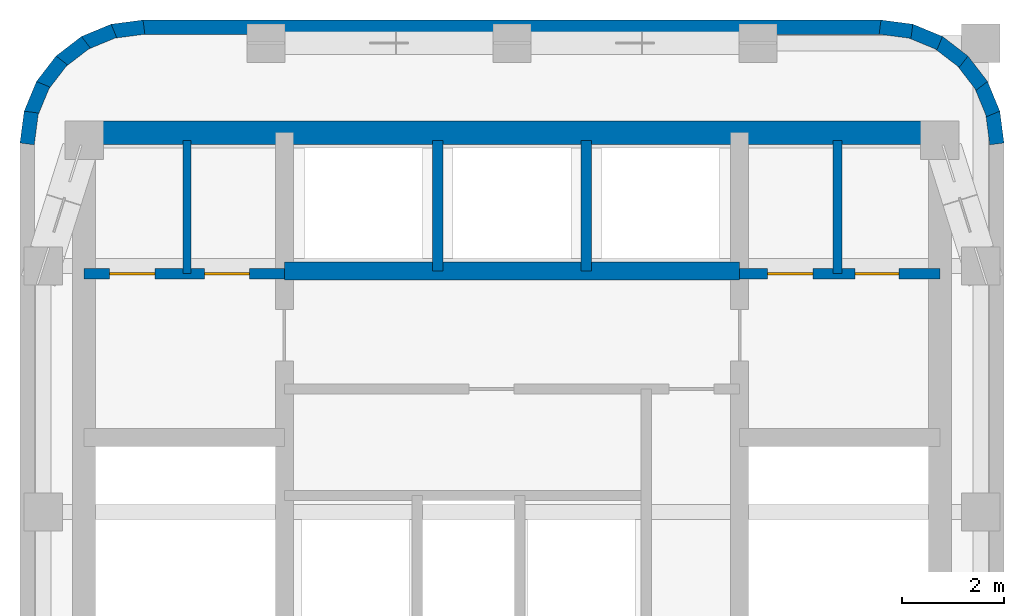
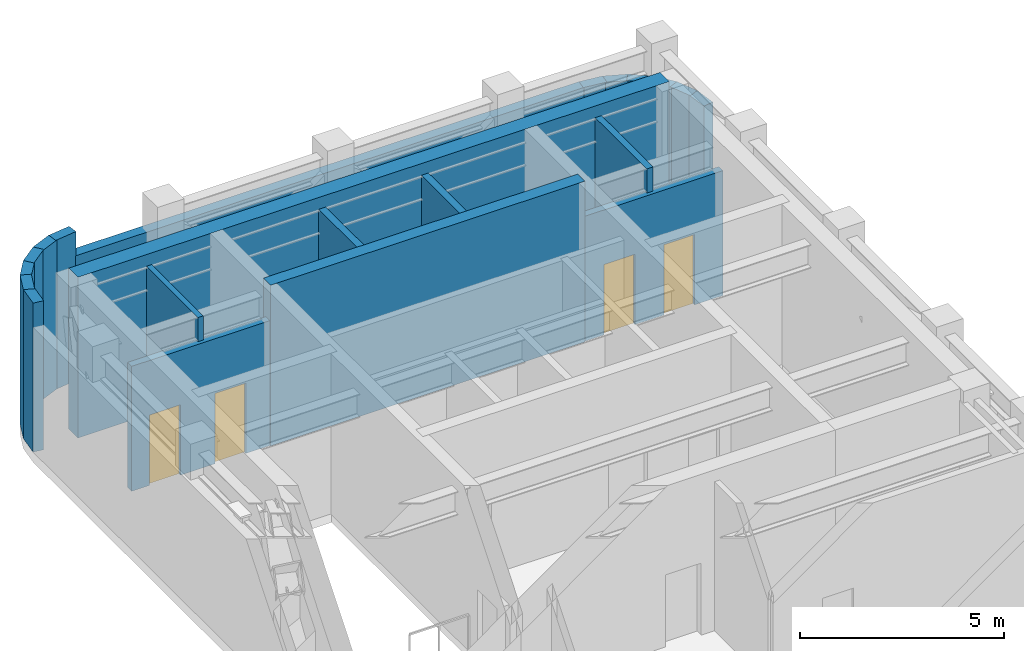
# One storey, part 4 of 5: 21 walls, 4 doors, 4 openings.
"""IFC4 building model written with IfcOpenShell, lengths in metres."""

from ifc_helpers import new_model, si_unit, direction, frame, frame_2d, origin, place, context, subcontext, project, spatial, rectangle, extrude, material, layer, layer_set, type_object, element, fill, save


model = new_model("IFC4")

# Units and contexts
model_context = context("Model", 3, precision=1e-05, world=origin(), true_north=direction((0.0, 1.0)))
body_context = subcontext(model_context, "Body", "Model", "MODEL_VIEW")
ifc_project = project(units=[si_unit("LENGTHUNIT", "METRE"), si_unit("AREAUNIT", "SQUARE_METRE"), si_unit("VOLUMEUNIT", "CUBIC_METRE"), si_unit("PLANEANGLEUNIT", "RADIAN"), si_unit("MASSUNIT", "GRAM", prefix="KILO")], contexts=[model_context])

# Site, building, storey
site_placement = place(None, origin())
site = spatial("IfcSite", under=ifc_project, at=site_placement, CompositionType="ELEMENT")
building_placement = place(site_placement, origin())
building = spatial("IfcBuilding", under=site, at=building_placement, Name="Orvandelia Arch Residences", CompositionType="ELEMENT")
storey_placement = place(building_placement, frame((0.0, 0.0, 296.199951171875)))
storey = spatial("IfcBuildingStorey", under=building, at=storey_placement, Name="L76", CompositionType="ELEMENT", Elevation=296.199951171875)

# Walls
ifc_material_1 = material(Name="Concrete C50/60", Category="concrete")
ifc_layer_1 = layer(ifc_material_1, 0.35009765625, Name="Concrete C50/60", Category="concrete")
ifc_layer_set_1 = layer_set([ifc_layer_1], Name="Concrete C50/60")
wall_type_1 = type_object("IfcWallType", Name="WL-CORE-350", PredefinedType="SHEAR", material=ifc_layer_set_1)
wall_1_placement = place(storey_placement, frame((9.9599609375, 43.10009765625, 0.0), z_axis=(0.0, 0.0, 1.0), x_axis=(1.0, 0.0, 0.0)))
element("IfcWall", 1, at=wall_1_placement, inside=storey, type_object=wall_type_1, Name="Core Shear Wall L76-HZ4", PredefinedType="SHEAR", context=body_context, shape_type="SweptSolid", body=[
    extrude(rectangle(XDim=8.880126953125, YDim=0.35009765625, at=frame_2d((4.43994140625, 0.0))), origin(), (0.0, 0.0, 1.0), 4.800048828125),
])
ifc_layer_2 = layer(ifc_material_1, 0.449951171875, Name="Concrete C50/60", Category="concrete")
ifc_layer_set_2 = layer_set([ifc_layer_2], Name="Concrete C50/60")
wall_type_2 = type_object("IfcWallType", Name="WL-CORE-450", PredefinedType="SHEAR", material=ifc_layer_set_2)
wall_2_placement = place(storey_placement, frame((6.050048828125, 45.800048828125, 0.0), z_axis=(0.0, 0.0, 1.0), x_axis=(1.0, 0.0, 0.0)))
element("IfcWall", 2, at=wall_2_placement, inside=storey, type_object=wall_type_2, Name="Core Shear Wall L76-N", PredefinedType="SHEAR", context=body_context, shape_type="SweptSolid", body=[
    extrude(rectangle(XDim=16.699951171875, YDim=0.449951171875, at=frame_2d((8.35009765625, 0.0))), origin(), (0.0, 0.0, 1.0), 4.800048828125),
])
ifc_material_2 = material(Name="Precast concrete C40/50", Category="concrete")
ifc_layer_3 = layer(ifc_material_2, 0.280029296875, Name="Precast concrete C40/50", Category="concrete")
ifc_layer_set_3 = layer_set([ifc_layer_3], Name="Precast concrete C40/50")
wall_type_3 = type_object("IfcWallType", Name="WL-EXT-STONE-280", PredefinedType="STANDARD", material=ifc_layer_set_3)
for number, where, z_axis, x_axis, name in (
    (3, (4.938720703125, 45.581787109375, 0.0), (0.0, 0.0, 1.0), (0.130555323746, 0.9914410257, 0.0), "Coral-Limestone Precast Facade Wall L76-001"),
    (4, (5.010986328125, 46.16748046875, 0.0), (0.0, 0.0, 1.0), (0.382650053678, 0.92389335771, 0.0), "Coral-Limestone Precast Facade Wall L76-002"),
    (5, (5.232666015625, 46.71484375, 0.0), (0.0, 0.0, 1.0), (0.608693302629, 0.793405610854, 0.0), "Coral-Limestone Precast Facade Wall L76-003"),
    (6, (5.588134765625, 47.18603515625, 0.0), (0.0, 0.0, 1.0), (0.793405610854, 0.608693302629, 0.0), "Coral-Limestone Precast Facade Wall L76-004"),
):
    element("IfcWall", number, at=place(storey_placement, frame(where, z_axis=z_axis, x_axis=x_axis)), inside=storey, type_object=wall_type_3, Name=name, PredefinedType="STANDARD", context=body_context, shape_type="SweptSolid", body=[
        extrude(rectangle(XDim=0.62646484375, YDim=0.280029296875, at=frame_2d((0.313232421875, 0.0))), origin(), (0.0, 0.0, 1.0), 4.449951171875),
    ])
wall_3_placement = place(storey_placement, frame((6.0537109375, 47.54931640625, 0.0), z_axis=(0.0, 0.0, 1.0), x_axis=(0.923974080304, 0.382455093999, 0.0)))
element("IfcWall", 7, at=wall_3_placement, inside=storey, type_object=wall_type_3, Name="Coral-Limestone Precast Facade Wall L76-005", PredefinedType="STANDARD", context=body_context, shape_type="SweptSolid", body=[
    extrude(rectangle(XDim=0.626220703125, YDim=0.280029296875, at=frame_2d((0.31298828125, 0.0))), origin(), (0.0, 0.0, 1.0), 4.449951171875),
])
wall_4_placement = place(storey_placement, frame((6.59716796875, 47.779296875, 0.0), z_axis=(0.0, 0.0, 1.0), x_axis=(0.9914410257, 0.130555323746, 0.0)))
element("IfcWall", 8, at=wall_4_placement, inside=storey, type_object=wall_type_3, Name="Coral-Limestone Precast Facade Wall L76-006", PredefinedType="STANDARD", context=body_context, shape_type="SweptSolid", body=[
    extrude(rectangle(XDim=0.62646484375, YDim=0.280029296875, at=frame_2d((0.313232421875, 0.0))), origin(), (0.0, 0.0, 1.0), 4.449951171875),
])
wall_5_placement = place(storey_placement, frame((7.199951171875, 47.860107421875, 0.0), z_axis=(0.0, 0.0, 1.0), x_axis=(1.0, 0.0, 0.0)))
element("IfcWall", 9, at=wall_5_placement, inside=storey, type_object=wall_type_3, Name="Coral-Limestone Precast Facade Wall L76-007", PredefinedType="STANDARD", context=body_context, shape_type="SweptSolid", body=[
    extrude(rectangle(XDim=14.400146484375, YDim=0.280029296875, at=frame_2d((7.2001953125, 0.0))), origin(), (0.0, 0.0, 1.0), 3.72998046875),
])
for number, where, z_axis, x_axis, name in (
    (10, (21.581787109375, 47.861083984375, 0.0), (0.0, 0.0, 1.0), (0.9914410257, -0.130555323746, 0.0), "Coral-Limestone Precast Facade Wall L76-008"),
    (11, (22.16748046875, 47.788818359375, 0.0), (0.0, 0.0, 1.0), (0.924031075431, -0.382317370307, 0.0), "Coral-Limestone Precast Facade Wall L76-009"),
    (12, (22.71484375, 47.5673828125, 0.0), (0.0, 0.0, 1.0), (0.793405610854, -0.608693302629, 0.0), "Coral-Limestone Precast Facade Wall L76-010"),
    (13, (23.18603515625, 47.2119140625, 0.0), (0.0, 0.0, 1.0), (0.608693302629, -0.793405610854, 0.0), "Coral-Limestone Precast Facade Wall L76-011"),
    (14, (23.54931640625, 46.746337890625, 0.0), (0.0, 0.0, 1.0), (0.382317370307, -0.924031075431, 0.0), "Coral-Limestone Precast Facade Wall L76-012"),
    (15, (23.779296875, 46.202880859375, 0.0), (0.0, 0.0, 1.0), (0.130555323746, -0.9914410257, 0.0), "Coral-Limestone Precast Facade Wall L76-013"),
):
    element("IfcWall", number, at=place(storey_placement, frame(where, z_axis=z_axis, x_axis=x_axis)), inside=storey, type_object=wall_type_3, Name=name, PredefinedType="STANDARD", context=body_context, shape_type="SweptSolid", body=[
        extrude(rectangle(XDim=0.62646484375, YDim=0.280029296875, at=frame_2d((0.313232421875, 0.0))), origin(), (0.0, 0.0, 1.0), 3.72998046875),
    ])
ifc_material_3 = material(Name="Acoustic Gypsum Stud Partition")
ifc_layer_4 = layer(ifc_material_3, 0.14990234375, Name="Acoustic Gypsum Stud Partition")
ifc_layer_set_4 = layer_set([ifc_layer_4], Name="Acoustic Gypsum Stud Partition")
wall_type_4 = type_object("IfcWallType", Name="WL-PART-150", PredefinedType="PARTITIONING", material=ifc_layer_set_4)
wall_6_placement = place(storey_placement, frame((8.06005859375, 43.050048828125, 0.0), z_axis=(0.0, 0.0, 1.0), x_axis=(0.0, 1.0, 0.0)))
element("IfcWall", 16, at=wall_6_placement, inside=storey, type_object=wall_type_4, Name="Interior Partition Wall WL-L76-CRELC-M", PredefinedType="PARTITIONING", context=body_context, shape_type="SweptSolid", body=[
    extrude(rectangle(XDim=2.599853515625, YDim=0.14990234375, at=frame_2d((1.2998046875, 0.0))), origin(), (0.0, 0.0, 1.0), 4.449951171875),
])

# Wall, openings, doors
ifc_material_4 = material(Name="Fire-Rated Shaft Enclosure Wall")
ifc_layer_5 = layer(ifc_material_4, 0.199951171875, Name="Fire-Rated Shaft Enclosure Wall")
ifc_layer_set_5 = layer_set([ifc_layer_5], Name="Fire-Rated Shaft Enclosure Wall")
wall_type_5 = type_object("IfcWallType", Name="WL-SHAFT-200", PredefinedType="POLYGONAL", material=ifc_layer_set_5)
wall_7_placement = place(storey_placement, frame((18.840087890625, 43.050048828125, 0.0), z_axis=(0.0, 0.0, 1.0), x_axis=(1.0, 0.0, 0.0)))
wall_7 = element("IfcWall", 17, at=wall_7_placement, inside=storey, type_object=wall_type_5, Name="Interior Partition Wall WL-L76-HLE-N", PredefinedType="POLYGONAL", context=body_context, shape_type="SweptSolid", body=[
    extrude(rectangle(XDim=3.909912109375, YDim=0.199951171875, at=frame_2d((1.955078125, 0.0))), origin(), (0.0, 0.0, 1.0), 3.72998046875),
])
opening_1_placement = place(wall_7_placement, frame((0.550048828125, 0.0, 0.0)))
opening_1 = element("IfcOpeningElement", 18, at=opening_1_placement, cuts=wall_7, Name="Opening D5", PredefinedType="OPENING", context=body_context, shape_type="SweptSolid", body=[
    extrude(rectangle(XDim=0.8798828125, YDim=2.10009765625, at=frame_2d((0.43994140625, 1.050048828125))), frame((0.0, 0.10986328125, 0.0), z_axis=(0.0, -1.0, 0.0), x_axis=(1.0, 0.0, 0.0)), (0.0, 0.0, 1.0), 0.219970703125),
])
opening_2_placement = place(wall_7_placement, frame((2.25, 0.0, 0.0)))
opening_2 = element("IfcOpeningElement", 19, at=opening_2_placement, cuts=wall_7, Name="Opening D4", PredefinedType="OPENING", context=body_context, shape_type="SweptSolid", body=[
    extrude(rectangle(XDim=0.860107421875, YDim=2.10009765625, at=frame_2d((0.43017578125, 1.050048828125))), frame((0.0, 0.10986328125, 0.0), z_axis=(0.0, -1.0, 0.0), x_axis=(1.0, 0.0, 0.0)), (0.0, 0.0, 1.0), 0.219970703125),
])
ifc_material_5 = material(Name="Painted Galvanised Steel Service Door", Category="steel")
door_type_1 = type_object("IfcDoorType", Name="DR-SRV-880", OperationType="NOTDEFINED", PredefinedType="DOOR", material=ifc_material_5)
door_1_placement = place(opening_1_placement, origin())
door_1 = element("IfcDoor", 20, at=door_1_placement, inside=storey, type_object=door_type_1, Name="DR-L76-CSB1", OperationType="SINGLE_SWING_LEFT", OverallHeight=2.10009765625, OverallWidth=0.8798828125, PredefinedType="DOOR", context=body_context, shape_type="SweptSolid", body=[
    extrude(rectangle(XDim=0.8798828125, YDim=2.10009765625, at=frame_2d((0.43994140625, 1.050048828125))), frame((0.0, 0.02490234375, 0.0), z_axis=(0.0, -1.0, 0.0), x_axis=(1.0, 0.0, 0.0)), (0.0, 0.0, 1.0), 0.050048828125),
])
fill(opening_1, door_1)
ifc_material_6 = material(Name="Moisture-Sealed Timber Bathroom Door", Category="wood")
door_type_2 = type_object("IfcDoorType", Name="DR-WET-900", OperationType="NOTDEFINED", PredefinedType="DOOR", material=ifc_material_6)
door_2_placement = place(opening_2_placement, origin())
door_2 = element("IfcDoor", 21, at=door_2_placement, inside=storey, type_object=door_type_2, Name="DR-L76-CSB2", OperationType="SINGLE_SWING_RIGHT", OverallHeight=2.10009765625, OverallWidth=0.860107421875, PredefinedType="DOOR", context=body_context, shape_type="SweptSolid", body=[
    extrude(rectangle(XDim=0.860107421875, YDim=2.10009765625, at=frame_2d((0.43017578125, 1.050048828125))), frame((0.0, 0.02490234375, 0.0), z_axis=(0.0, -1.0, 0.0), x_axis=(1.0, 0.0, 0.0)), (0.0, 0.0, 1.0), 0.050048828125),
])
fill(opening_2, door_2)

wall_8_placement = place(storey_placement, frame((6.050048828125, 43.050048828125, 0.0), z_axis=(0.0, 0.0, 1.0), x_axis=(1.0, 0.0, 0.0)))
wall_8 = element("IfcWall", 22, at=wall_8_placement, inside=storey, type_object=wall_type_5, Name="Interior Partition Wall WL-L76-HLW-N", PredefinedType="POLYGONAL", context=body_context, shape_type="SweptSolid", body=[
    extrude(rectangle(XDim=3.909912109375, YDim=0.199951171875, at=frame_2d((1.955078125, 0.0))), origin(), (0.0, 0.0, 1.0), 3.72998046875),
])
opening_3_placement = place(wall_8_placement, frame((0.5, 0.0, 0.0)))
opening_3 = element("IfcOpeningElement", 23, at=opening_3_placement, cuts=wall_8, Name="Opening D5", PredefinedType="OPENING", context=body_context, shape_type="SweptSolid", body=[
    extrude(rectangle(XDim=0.8798828125, YDim=2.10009765625, at=frame_2d((0.43994140625, 1.050048828125))), frame((0.0, 0.10986328125, 0.0), z_axis=(0.0, -1.0, 0.0), x_axis=(1.0, 0.0, 0.0)), (0.0, 0.0, 1.0), 0.219970703125),
])
opening_4_placement = place(wall_8_placement, frame((2.35009765625, 0.0, 0.0)))
opening_4 = element("IfcOpeningElement", 24, at=opening_4_placement, cuts=wall_8, Name="Opening D5", PredefinedType="OPENING", context=body_context, shape_type="SweptSolid", body=[
    extrude(rectangle(XDim=0.8798828125, YDim=2.10009765625, at=frame_2d((0.43994140625, 1.050048828125))), frame((0.0, 0.10986328125, 0.0), z_axis=(0.0, -1.0, 0.0), x_axis=(1.0, 0.0, 0.0)), (0.0, 0.0, 1.0), 0.219970703125),
])
door_3_placement = place(opening_3_placement, origin())
door_3 = element("IfcDoor", 25, at=door_3_placement, inside=storey, type_object=door_type_1, Name="DR-L76-CRELC1", OperationType="SINGLE_SWING_LEFT", OverallHeight=2.10009765625, OverallWidth=0.8798828125, PredefinedType="DOOR", context=body_context, shape_type="SweptSolid", body=[
    extrude(rectangle(XDim=0.8798828125, YDim=2.10009765625, at=frame_2d((0.43994140625, 1.050048828125))), frame((0.0, 0.02490234375, 0.0), z_axis=(0.0, -1.0, 0.0), x_axis=(1.0, 0.0, 0.0)), (0.0, 0.0, 1.0), 0.050048828125),
])
fill(opening_3, door_3)
door_4_placement = place(opening_4_placement, origin())
door_4 = element("IfcDoor", 26, at=door_4_placement, inside=storey, type_object=door_type_1, Name="DR-L76-CRELC2", OperationType="SINGLE_SWING_RIGHT", OverallHeight=2.10009765625, OverallWidth=0.8798828125, PredefinedType="DOOR", context=body_context, shape_type="SweptSolid", body=[
    extrude(rectangle(XDim=0.8798828125, YDim=2.10009765625, at=frame_2d((0.43994140625, 1.050048828125))), frame((0.0, 0.02490234375, 0.0), z_axis=(0.0, -1.0, 0.0), x_axis=(1.0, 0.0, 0.0)), (0.0, 0.0, 1.0), 0.050048828125),
])
fill(opening_4, door_4)

# Walls
for number, where, z_axis, x_axis, name in (
    (27, (12.949951171875, 43.10009765625, 0.0), (0.0, 0.0, 1.0), (0.0, 1.0, 0.0), "Interior Partition Wall WL-L76-PHD1"),
    (28, (15.85009765625, 43.10009765625, 0.0), (0.0, 0.0, 1.0), (0.0, 1.0, 0.0), "Interior Partition Wall WL-L76-PHD2"),
):
    element("IfcWall", number, at=place(storey_placement, frame(where, z_axis=z_axis, x_axis=x_axis)), inside=storey, type_object=wall_type_5, Name=name, PredefinedType="POLYGONAL", context=body_context, shape_type="SweptSolid", body=[
        extrude(rectangle(XDim=2.5498046875, YDim=0.199951171875, at=frame_2d((1.27490234375, 0.0))), origin(), (0.0, 0.0, 1.0), 4.449951171875),
    ])
ifc_material_7 = material(Name="Moisture-Resistant Plumbing Wall")
ifc_layer_6 = layer(ifc_material_7, 0.179931640625, Name="Moisture-Resistant Plumbing Wall")
ifc_layer_set_6 = layer_set([ifc_layer_6], Name="Moisture-Resistant Plumbing Wall")
wall_type_6 = type_object("IfcWallType", Name="WL-WET-180", PredefinedType="PLUMBINGWALL", material=ifc_layer_set_6)
wall_9_placement = place(storey_placement, frame((20.75, 43.050048828125, 0.0), z_axis=(0.0, 0.0, 1.0), x_axis=(0.0, 1.0, 0.0)))
element("IfcWall", 29, at=wall_9_placement, inside=storey, type_object=wall_type_6, Name="Interior Partition Wall WL-L76-CSB-1", PredefinedType="PLUMBINGWALL", context=body_context, shape_type="SweptSolid", body=[
    extrude(rectangle(XDim=2.599853515625, YDim=0.179931640625, at=frame_2d((1.2998046875, 0.0))), origin(), (0.0, 0.0, 1.0), 4.449951171875),
])

save(model, "model.ifc")
